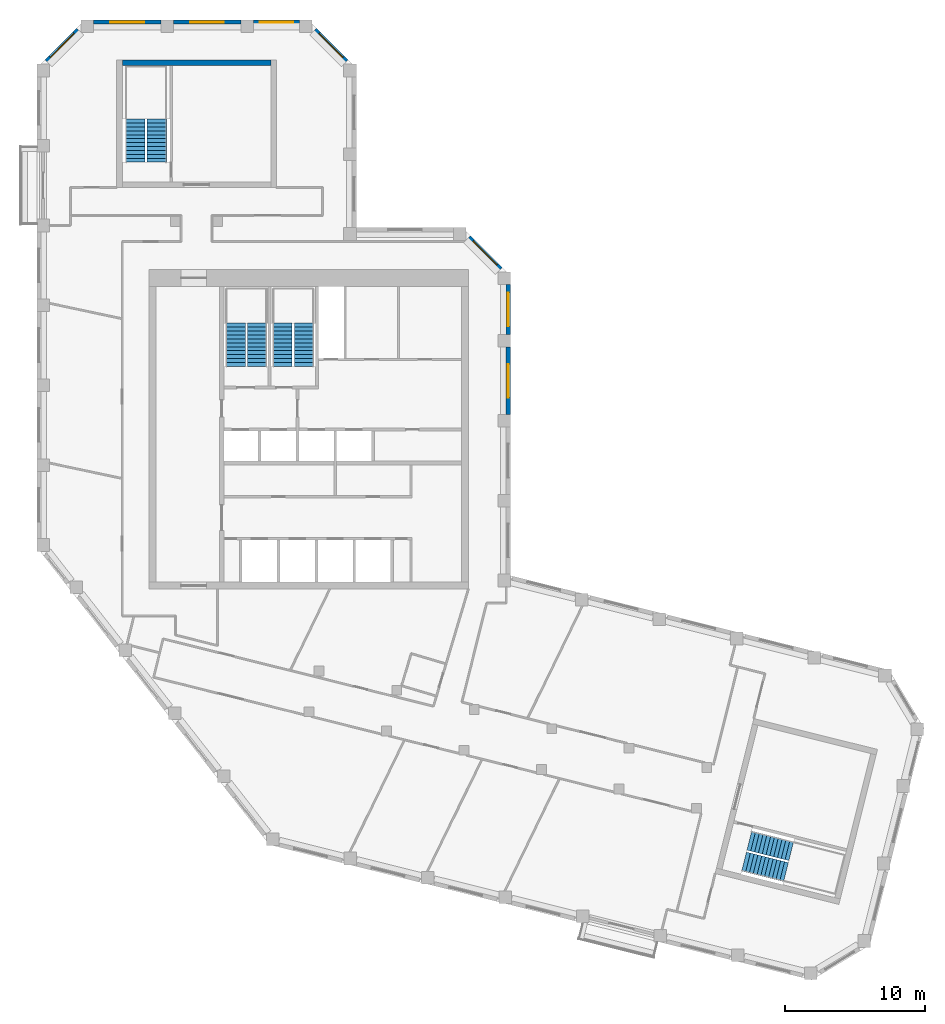
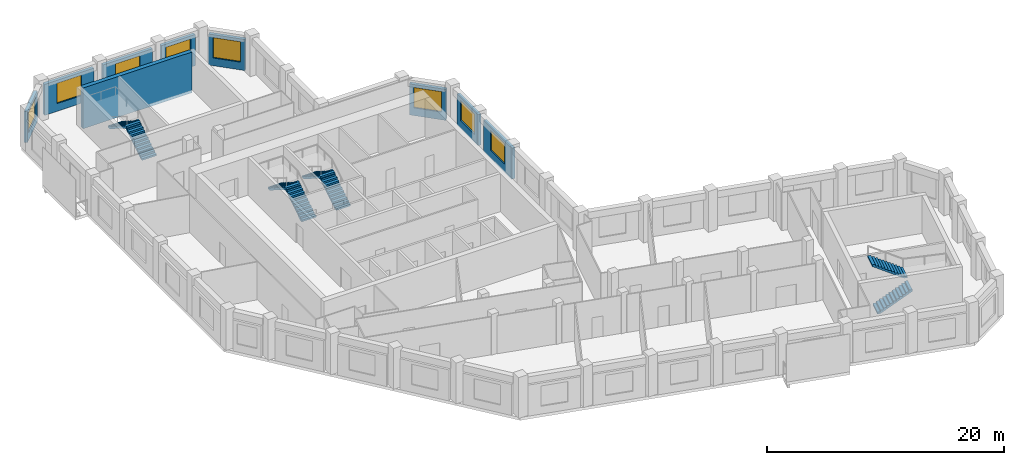
# One storey, part 7 of 8: 9 walls, 8 stair flights, 8 windows, 8 openings, 4 elements without a shape of their own.
"""IFC4 building model written with IfcOpenShell, lengths in metres."""

from ifc_helpers import new_model, si_unit, direction, frame, frame_2d, origin, place, context, subcontext, project, spatial, polyline, rectangle, outline, extrude, material, layer, layer_set, type_object, element, fill, aggregate, save


model = new_model("IFC4")

# Units and contexts
model_context = context("Model", 3, precision=1e-05, world=origin(), true_north=direction((0.0, 1.0)))
body_context = subcontext(model_context, "Body", "Model", "MODEL_VIEW")
ifc_project = project(units=[si_unit("LENGTHUNIT", "METRE"), si_unit("AREAUNIT", "SQUARE_METRE"), si_unit("VOLUMEUNIT", "CUBIC_METRE"), si_unit("PLANEANGLEUNIT", "RADIAN"), si_unit("MASSUNIT", "GRAM", prefix="KILO")], contexts=[model_context])

# Site, building, storey
site_placement = place(None, origin())
site = spatial("IfcSite", under=ifc_project, at=site_placement, CompositionType="ELEMENT")
building_placement = place(site_placement, origin())
building = spatial("IfcBuilding", under=site, at=building_placement, Name="Meshkara Civic Tower", CompositionType="ELEMENT")
storey_placement = place(building_placement, frame((0.0, 0.0, 366.60009765625)))
storey = spatial("IfcBuildingStorey", under=building, at=storey_placement, Name="L84", CompositionType="ELEMENT", Elevation=366.60009765625)

# Wall, opening, window
ifc_material_1 = material(Name="Insulated infill panel with bronze anodised aluminium cladding", Category="aluminium")
ifc_layer_1 = layer(ifc_material_1, 0.300048828125)
ifc_layer_set_1 = layer_set([ifc_layer_1], Name="EXTERNAL INFILL WALL 300")
wall_type_1 = type_object("IfcWallType", Name="EXTERNAL INFILL WALL 300", PredefinedType="SOLIDWALL", material=ifc_layer_set_1)
wall_1_placement = place(storey_placement, frame((33.64990234375, 26.569091796875, 0.0), z_axis=(0.0, 0.0, 1.0), x_axis=(0.0, 1.0, 0.0)))
wall_1 = element("IfcWall", 1, at=wall_1_placement, inside=storey, type_object=wall_type_1, Name="External wall", PredefinedType="SOLIDWALL", context=body_context, shape_type="SweptSolid", body=[
    extrude(rectangle(XDim=4.7998046875, YDim=0.300048828125, at=frame_2d((2.39990234375, 0.0))), origin(), (0.0, 0.0, 1.0), 3.199951171875),
])
opening_1_placement = place(wall_1_placement, frame((1.199951171875, 0.0, 0.800048828125)))
opening_1 = element("IfcOpeningElement", 2, at=opening_1_placement, cuts=wall_1, Name="Opening W7", PredefinedType="OPENING", context=body_context, shape_type="SweptSolid", body=[
    extrude(rectangle(XDim=2.39990234375, YDim=2.10009765625, at=frame_2d((1.199951171875, 1.050048828125))), frame((0.0, 0.159912109375, 0.0), z_axis=(0.0, -1.0, 0.0), x_axis=(1.0, 0.0, 0.0)), (0.0, 0.0, 1.0), 0.320068359375),
])
ifc_material_2 = material(Name="Tinted double glazing", Category="glass")
window_type = type_object("IfcWindowType", Name="WINDOW 2400x2100", PartitioningType="DOUBLE_PANEL_VERTICAL", PredefinedType="WINDOW", material=ifc_material_2)
window_1_placement = place(opening_1_placement, origin())
window_1 = element("IfcWindow", 3, at=window_1_placement, inside=storey, type_object=window_type, Name="Window", OverallHeight=2.10009765625, OverallWidth=2.39990234375, PartitioningType="DOUBLE_PANEL_VERTICAL", PredefinedType="WINDOW", context=body_context, shape_type="SweptSolid", body=[
    extrude(rectangle(XDim=2.39990234375, YDim=2.10009765625, at=frame_2d((1.199951171875, 1.050048828125))), frame((0.0, 0.030029296875, 0.0), z_axis=(0.0, -1.0, 0.0), x_axis=(1.0, 0.0, 0.0)), (0.0, 0.0, 1.0), 0.06005859375),
])
fill(opening_1, window_1)

wall_2_placement = place(storey_placement, frame((33.64990234375, 32.26904296875, 0.0), z_axis=(0.0, 0.0, 1.0), x_axis=(0.0, 1.0, 0.0)))
wall_2 = element("IfcWall", 4, at=wall_2_placement, inside=storey, type_object=wall_type_1, Name="External wall", PredefinedType="SOLIDWALL", context=body_context, shape_type="SweptSolid", body=[
    extrude(rectangle(XDim=3.574951171875, YDim=0.300048828125, at=frame_2d((1.78759765625, 0.0))), origin(), (0.0, 0.0, 1.0), 3.199951171875),
])
opening_2_placement = place(wall_2_placement, frame((0.587890625, 0.0, 0.800048828125)))
opening_2 = element("IfcOpeningElement", 5, at=opening_2_placement, cuts=wall_2, Name="Opening W7", PredefinedType="OPENING", context=body_context, shape_type="SweptSolid", body=[
    extrude(rectangle(XDim=2.39990234375, YDim=2.10009765625, at=frame_2d((1.199951171875, 1.050048828125))), frame((0.0, 0.159912109375, 0.0), z_axis=(0.0, -1.0, 0.0), x_axis=(1.0, 0.0, 0.0)), (0.0, 0.0, 1.0), 0.320068359375),
])
window_2_placement = place(opening_2_placement, origin())
window_2 = element("IfcWindow", 6, at=window_2_placement, inside=storey, type_object=window_type, Name="Window", OverallHeight=2.10009765625, OverallWidth=2.39990234375, PartitioningType="DOUBLE_PANEL_VERTICAL", PredefinedType="WINDOW", context=body_context, shape_type="SweptSolid", body=[
    extrude(rectangle(XDim=2.39990234375, YDim=2.10009765625, at=frame_2d((1.199951171875, 1.050048828125))), frame((0.0, 0.030029296875, 0.0), z_axis=(0.0, -1.0, 0.0), x_axis=(1.0, 0.0, 0.0)), (0.0, 0.0, 1.0), 0.06005859375),
])
fill(opening_2, window_2)

wall_3_placement = place(storey_placement, frame((33.112060546875, 36.9560546875, 0.0), z_axis=(0.0, 0.0, 1.0), x_axis=(-0.707145041435, 0.707068518868, 0.0)))
wall_3 = element("IfcWall", 7, at=wall_3_placement, inside=storey, type_object=wall_type_1, Name="External wall", PredefinedType="SOLIDWALL", context=body_context, shape_type="SweptSolid", body=[
    extrude(rectangle(XDim=3.1904296875, YDim=0.300048828125, at=frame_2d((1.59521484375, 0.0))), origin(), (0.0, 0.0, 1.0), 3.199951171875),
])
opening_3_placement = place(wall_3_placement, frame((0.39501953125, 0.0, 0.800048828125)))
opening_3 = element("IfcOpeningElement", 8, at=opening_3_placement, cuts=wall_3, Name="Opening W7", PredefinedType="OPENING", context=body_context, shape_type="SweptSolid", body=[
    extrude(rectangle(XDim=2.39990234375, YDim=2.10009765625, at=frame_2d((1.199951171875, 1.050048828125))), frame((0.0, 0.159912109375, 0.0), z_axis=(0.0, -1.0, 0.0), x_axis=(1.0, 0.0, 0.0)), (0.0, 0.0, 1.0), 0.320068359375),
])
window_3_placement = place(opening_3_placement, origin())
window_3 = element("IfcWindow", 9, at=window_3_placement, inside=storey, type_object=window_type, Name="Window", OverallHeight=2.10009765625, OverallWidth=2.39990234375, PartitioningType="DOUBLE_PANEL_VERTICAL", PredefinedType="WINDOW", context=body_context, shape_type="SweptSolid", body=[
    extrude(rectangle(XDim=2.39990234375, YDim=2.10009765625, at=frame_2d((1.199951171875, 1.050048828125))), frame((0.0, 0.030029296875, 0.0), z_axis=(0.0, -1.0, 0.0), x_axis=(1.0, 0.0, 0.0)), (0.0, 0.0, 1.0), 0.06005859375),
])
fill(opening_3, window_3)

wall_4_placement = place(storey_placement, frame((22.112060546875, 51.77587890625, 0.0), z_axis=(0.0, 0.0, 1.0), x_axis=(-0.707106781187, 0.707106781187, 0.0)))
wall_4 = element("IfcWall", 10, at=wall_4_placement, inside=storey, type_object=wall_type_1, Name="External wall", PredefinedType="SOLIDWALL", context=body_context, shape_type="SweptSolid", body=[
    extrude(rectangle(XDim=3.190673828125, YDim=0.300048828125, at=frame_2d((1.59521484375, 0.0))), origin(), (0.0, 0.0, 1.0), 3.199951171875),
])
opening_4_placement = place(wall_4_placement, frame((0.39501953125, 0.0, 0.800048828125)))
opening_4 = element("IfcOpeningElement", 11, at=opening_4_placement, cuts=wall_4, Name="Opening W7", PredefinedType="OPENING", context=body_context, shape_type="SweptSolid", body=[
    extrude(rectangle(XDim=2.39990234375, YDim=2.10009765625, at=frame_2d((1.199951171875, 1.050048828125))), frame((0.0, 0.159912109375, 0.0), z_axis=(0.0, -1.0, 0.0), x_axis=(1.0, 0.0, 0.0)), (0.0, 0.0, 1.0), 0.320068359375),
])
window_4_placement = place(opening_4_placement, origin())
window_4 = element("IfcWindow", 12, at=window_4_placement, inside=storey, type_object=window_type, Name="Window", OverallHeight=2.10009765625, OverallWidth=2.39990234375, PartitioningType="DOUBLE_PANEL_VERTICAL", PredefinedType="WINDOW", context=body_context, shape_type="SweptSolid", body=[
    extrude(rectangle(XDim=2.39990234375, YDim=2.10009765625, at=frame_2d((1.199951171875, 1.050048828125))), frame((0.0, 0.030029296875, 0.0), z_axis=(0.0, -1.0, 0.0), x_axis=(1.0, 0.0, 0.0)), (0.0, 0.0, 1.0), 0.06005859375),
])
fill(opening_4, window_4)

wall_5_placement = place(storey_placement, frame((18.743896484375, 54.570068359375, 0.0), z_axis=(0.0, 0.0, 1.0), x_axis=(-1.0, 0.0, 0.0)))
wall_5 = element("IfcWall", 13, at=wall_5_placement, inside=storey, type_object=wall_type_1, Name="External wall", PredefinedType="SOLIDWALL", context=body_context, shape_type="SweptSolid", body=[
    extrude(rectangle(XDim=3.287841796875, YDim=0.300048828125, at=frame_2d((1.64404296875, 0.0))), origin(), (0.0, 0.0, 1.0), 3.199951171875),
])
opening_5_placement = place(wall_5_placement, frame((0.444091796875, 0.0, 0.800048828125)))
opening_5 = element("IfcOpeningElement", 14, at=opening_5_placement, cuts=wall_5, Name="Opening W7", PredefinedType="OPENING", context=body_context, shape_type="SweptSolid", body=[
    extrude(rectangle(XDim=2.39990234375, YDim=2.10009765625, at=frame_2d((1.199951171875, 1.050048828125))), frame((0.0, 0.159912109375, 0.0), z_axis=(0.0, -1.0, 0.0), x_axis=(1.0, 0.0, 0.0)), (0.0, 0.0, 1.0), 0.320068359375),
])
window_5_placement = place(opening_5_placement, origin())
window_5 = element("IfcWindow", 15, at=window_5_placement, inside=storey, type_object=window_type, Name="Window", OverallHeight=2.10009765625, OverallWidth=2.39990234375, PartitioningType="DOUBLE_PANEL_VERTICAL", PredefinedType="WINDOW", context=body_context, shape_type="SweptSolid", body=[
    extrude(rectangle(XDim=2.39990234375, YDim=2.10009765625, at=frame_2d((1.199951171875, 1.050048828125))), frame((0.0, 0.030029296875, 0.0), z_axis=(0.0, -1.0, 0.0), x_axis=(1.0, 0.0, 0.0)), (0.0, 0.0, 1.0), 0.06005859375),
])
fill(opening_5, window_5)

wall_6_placement = place(storey_placement, frame((14.555908203125, 54.570068359375, 0.0), z_axis=(0.0, 0.0, 1.0), x_axis=(-1.0, 0.0, 0.0)))
wall_6 = element("IfcWall", 16, at=wall_6_placement, inside=storey, type_object=wall_type_1, Name="External wall", PredefinedType="SOLIDWALL", context=body_context, shape_type="SweptSolid", body=[
    extrude(rectangle(XDim=4.7998046875, YDim=0.300048828125, at=frame_2d((2.39990234375, 0.0))), origin(), (0.0, 0.0, 1.0), 3.199951171875),
])
opening_6_placement = place(wall_6_placement, frame((1.199951171875, 0.0, 0.800048828125)))
opening_6 = element("IfcOpeningElement", 17, at=opening_6_placement, cuts=wall_6, Name="Opening W7", PredefinedType="OPENING", context=body_context, shape_type="SweptSolid", body=[
    extrude(rectangle(XDim=2.39990234375, YDim=2.10009765625, at=frame_2d((1.199951171875, 1.050048828125))), frame((0.0, 0.159912109375, 0.0), z_axis=(0.0, -1.0, 0.0), x_axis=(1.0, 0.0, 0.0)), (0.0, 0.0, 1.0), 0.320068359375),
])
window_6_placement = place(opening_6_placement, origin())
window_6 = element("IfcWindow", 18, at=window_6_placement, inside=storey, type_object=window_type, Name="Window", OverallHeight=2.10009765625, OverallWidth=2.39990234375, PartitioningType="DOUBLE_PANEL_VERTICAL", PredefinedType="WINDOW", context=body_context, shape_type="SweptSolid", body=[
    extrude(rectangle(XDim=2.39990234375, YDim=2.10009765625, at=frame_2d((1.199951171875, 1.050048828125))), frame((0.0, 0.030029296875, 0.0), z_axis=(0.0, -1.0, 0.0), x_axis=(1.0, 0.0, 0.0)), (0.0, 0.0, 1.0), 0.06005859375),
])
fill(opening_6, window_6)

wall_7_placement = place(storey_placement, frame((8.85595703125, 54.570068359375, 0.0), z_axis=(0.0, 0.0, 1.0), x_axis=(-1.0, 0.0, 0.0)))
wall_7 = element("IfcWall", 19, at=wall_7_placement, inside=storey, type_object=wall_type_1, Name="External wall", PredefinedType="SOLIDWALL", context=body_context, shape_type="SweptSolid", body=[
    extrude(rectangle(XDim=4.800048828125, YDim=0.300048828125, at=frame_2d((2.39990234375, 0.0))), origin(), (0.0, 0.0, 1.0), 3.199951171875),
])
opening_7_placement = place(wall_7_placement, frame((1.199951171875, 0.0, 0.800048828125)))
opening_7 = element("IfcOpeningElement", 20, at=opening_7_placement, cuts=wall_7, Name="Opening W7", PredefinedType="OPENING", context=body_context, shape_type="SweptSolid", body=[
    extrude(rectangle(XDim=2.39990234375, YDim=2.10009765625, at=frame_2d((1.199951171875, 1.050048828125))), frame((0.0, 0.159912109375, 0.0), z_axis=(0.0, -1.0, 0.0), x_axis=(1.0, 0.0, 0.0)), (0.0, 0.0, 1.0), 0.320068359375),
])
window_7_placement = place(opening_7_placement, origin())
window_7 = element("IfcWindow", 21, at=window_7_placement, inside=storey, type_object=window_type, Name="Window", OverallHeight=2.10009765625, OverallWidth=2.39990234375, PartitioningType="DOUBLE_PANEL_VERTICAL", PredefinedType="WINDOW", context=body_context, shape_type="SweptSolid", body=[
    extrude(rectangle(XDim=2.39990234375, YDim=2.10009765625, at=frame_2d((1.199951171875, 1.050048828125))), frame((0.0, 0.030029296875, 0.0), z_axis=(0.0, -1.0, 0.0), x_axis=(1.0, 0.0, 0.0)), (0.0, 0.0, 1.0), 0.06005859375),
])
fill(opening_7, window_7)

wall_8_placement = place(storey_placement, frame((2.944091796875, 54.031982421875, 0.0), z_axis=(0.0, 0.0, 1.0), x_axis=(-0.707106781187, -0.707106781187, 0.0)))
wall_8 = element("IfcWall", 22, at=wall_8_placement, inside=storey, type_object=wall_type_1, Name="External wall", PredefinedType="SOLIDWALL", context=body_context, shape_type="SweptSolid", body=[
    extrude(rectangle(XDim=3.190673828125, YDim=0.300048828125, at=frame_2d((1.59521484375, 0.0))), origin(), (0.0, 0.0, 1.0), 3.199951171875),
])
opening_8_placement = place(wall_8_placement, frame((0.39501953125, 0.0, 0.800048828125)))
opening_8 = element("IfcOpeningElement", 23, at=opening_8_placement, cuts=wall_8, Name="Opening W7", PredefinedType="OPENING", context=body_context, shape_type="SweptSolid", body=[
    extrude(rectangle(XDim=2.39990234375, YDim=2.10009765625, at=frame_2d((1.199951171875, 1.050048828125))), frame((0.0, 0.159912109375, 0.0), z_axis=(0.0, -1.0, 0.0), x_axis=(1.0, 0.0, 0.0)), (0.0, 0.0, 1.0), 0.320068359375),
])
window_8_placement = place(opening_8_placement, origin())
window_8 = element("IfcWindow", 24, at=window_8_placement, inside=storey, type_object=window_type, Name="Window", OverallHeight=2.10009765625, OverallWidth=2.39990234375, PartitioningType="DOUBLE_PANEL_VERTICAL", PredefinedType="WINDOW", context=body_context, shape_type="SweptSolid", body=[
    extrude(rectangle(XDim=2.39990234375, YDim=2.10009765625, at=frame_2d((1.199951171875, 1.050048828125))), frame((0.0, 0.030029296875, 0.0), z_axis=(0.0, -1.0, 0.0), x_axis=(1.0, 0.0, 0.0)), (0.0, 0.0, 1.0), 0.06005859375),
])
fill(opening_8, window_8)

# Wall
ifc_material_3 = material(Name="Concrete C50", Category="concrete")
ifc_layer_2 = layer(ifc_material_3, 0.39990234375)
ifc_layer_set_2 = layer_set([ifc_layer_2], Name="End core ring wall 400 C50")
wall_type_2 = type_object("IfcWallType", Name="End core ring wall 400 C50", PredefinedType="SHEAR", material=ifc_layer_set_2)
wall_9_placement = place(storey_placement, frame((6.10009765625, 51.669921875, -0.300048828125), z_axis=(0.0, 0.0, 1.0), x_axis=(1.0, 0.0, 0.0)))
element("IfcWall", 25, at=wall_9_placement, inside=storey, type_object=wall_type_2, Name="L84-C030", PredefinedType="SHEAR", context=body_context, shape_type="SweptSolid", body=[
    extrude(rectangle(XDim=10.599853515625, YDim=0.39990234375, at=frame_2d((5.2998046875, 0.0))), origin(), (0.0, 0.0, 1.0), 4.199951171875),
])

# Stair, stair flights
ifc_material_4 = material(Name="Precast concrete C40/50", Category="concrete")
stair_type = type_object("IfcStairType", Name="Exit stair half-turn 24 risers precast", PredefinedType="HALF_TURN_STAIR", material=ifc_material_4)
stair_1_placement = place(storey_placement, origin())
stair_1 = element("IfcStair", 26, at=stair_1_placement, inside=storey, type_object=stair_type, Name="L84 exit stair 1", PredefinedType="HALF_TURN_STAIR")
ifc_material_5 = material(Name="Precast concrete C40/50", Category="concrete")
stair_flight_type = type_object("IfcStairFlightType", Name="Exit stair flight 12 risers precast", PredefinedType="STRAIGHT", material=ifc_material_5)
stair_flight_1_placement = place(storey_placement, frame((15.72509765625, 30.0, 0.0), z_axis=(0.0, 0.0, 1.0), x_axis=(0.0, 1.0, 0.0)))
stair_flight_1 = element("IfcStairFlight", 27, at=stair_flight_1_placement, type_object=stair_flight_type, Name="ST1 flight 1", NumberOfRisers=12, NumberOfTreads=11, PredefinedType="STRAIGHT", RiserHeight=0.175, TreadLength=0.28, context=body_context, shape_type="SweptSolid", body=[
    extrude(outline(polyline([(0.0, 0.0), (0.0, 0.175048828125), (0.280029296875, 0.175048828125), (0.280029296875, 0.35009765625), (0.56005859375, 0.35009765625), (0.56005859375, 0.52490234375), (0.840087890625, 0.52490234375), (0.840087890625, 0.699951171875), (1.1201171875, 0.699951171875), (1.1201171875, 0.875), (1.39990234375, 0.875), (1.39990234375, 1.050048828125), (1.679931640625, 1.050048828125), (1.679931640625, 1.22509765625), (1.9599609375, 1.22509765625), (1.9599609375, 1.39990234375), (2.239990234375, 1.39990234375), (2.239990234375, 1.574951171875), (2.52001953125, 1.574951171875), (2.52001953125, 1.75), (2.800048828125, 1.75), (2.800048828125, 1.925048828125), (3.080078125, 1.925048828125), (3.080078125, 2.10009765625), (3.080078125, 1.748291015625), (0.28271484375, 0.0), (0.0, 0.0)])), frame((0.0, 0.699951171875, 0.0), z_axis=(0.0, -1.0, 0.0), x_axis=(1.0, 0.0, 0.0)), (0.0, 0.0, 1.0), 1.39990234375),
])
stair_flight_2_placement = place(storey_placement, frame((14.175048828125, 33.080078125, 2.099853515625), z_axis=(0.0, 0.0, 1.0), x_axis=(0.0, -1.0, 0.0)))
stair_flight_2 = element("IfcStairFlight", 28, at=stair_flight_2_placement, type_object=stair_flight_type, Name="ST1 flight 2", NumberOfRisers=12, NumberOfTreads=11, PredefinedType="STRAIGHT", RiserHeight=0.175, TreadLength=0.28, context=body_context, shape_type="SweptSolid", body=[
    extrude(outline(polyline([(0.0, 0.0), (0.0, 0.175048828125), (0.280029296875, 0.175048828125), (0.280029296875, 0.35009765625), (0.56005859375, 0.35009765625), (0.56005859375, 0.52490234375), (0.840087890625, 0.52490234375), (0.840087890625, 0.699951171875), (1.1201171875, 0.699951171875), (1.1201171875, 0.875), (1.39990234375, 0.875), (1.39990234375, 1.050048828125), (1.679931640625, 1.050048828125), (1.679931640625, 1.22509765625), (1.9599609375, 1.22509765625), (1.9599609375, 1.39990234375), (2.239990234375, 1.39990234375), (2.239990234375, 1.574951171875), (2.52001953125, 1.574951171875), (2.52001953125, 1.75), (2.800048828125, 1.75), (2.800048828125, 1.925048828125), (3.080078125, 1.925048828125), (3.080078125, 2.10009765625), (3.080078125, 1.748291015625), (0.28271484375, 0.0), (0.0, 0.0)])), frame((0.0, 0.699951171875, 0.0), z_axis=(0.0, -1.0, 0.0), x_axis=(1.0, 0.0, 0.0)), (0.0, 0.0, 1.0), 1.39990234375),
])
aggregate(stair_1, [stair_flight_1, stair_flight_2])

stair_2_placement = place(storey_placement, origin())
stair_2 = element("IfcStair", 29, at=stair_2_placement, inside=storey, type_object=stair_type, Name="L84 exit stair 2", PredefinedType="HALF_TURN_STAIR")
stair_flight_3_placement = place(storey_placement, frame((19.074951171875, 30.0, 0.0), z_axis=(0.0, 0.0, 1.0), x_axis=(0.0, 1.0, 0.0)))
stair_flight_3 = element("IfcStairFlight", 30, at=stair_flight_3_placement, type_object=stair_flight_type, Name="ST2 flight 1", NumberOfRisers=12, NumberOfTreads=11, PredefinedType="STRAIGHT", RiserHeight=0.175, TreadLength=0.28, context=body_context, shape_type="SweptSolid", body=[
    extrude(outline(polyline([(0.0, 0.0), (0.0, 0.175048828125), (0.280029296875, 0.175048828125), (0.280029296875, 0.35009765625), (0.56005859375, 0.35009765625), (0.56005859375, 0.52490234375), (0.840087890625, 0.52490234375), (0.840087890625, 0.699951171875), (1.1201171875, 0.699951171875), (1.1201171875, 0.875), (1.39990234375, 0.875), (1.39990234375, 1.050048828125), (1.679931640625, 1.050048828125), (1.679931640625, 1.22509765625), (1.9599609375, 1.22509765625), (1.9599609375, 1.39990234375), (2.239990234375, 1.39990234375), (2.239990234375, 1.574951171875), (2.52001953125, 1.574951171875), (2.52001953125, 1.75), (2.800048828125, 1.75), (2.800048828125, 1.925048828125), (3.080078125, 1.925048828125), (3.080078125, 2.10009765625), (3.080078125, 1.748291015625), (0.28271484375, 0.0), (0.0, 0.0)])), frame((0.0, 0.699951171875, 0.0), z_axis=(0.0, -1.0, 0.0), x_axis=(1.0, 0.0, 0.0)), (0.0, 0.0, 1.0), 1.39990234375),
])
stair_flight_4_placement = place(storey_placement, frame((17.52490234375, 33.080078125, 2.099853515625), z_axis=(0.0, 0.0, 1.0), x_axis=(0.0, -1.0, 0.0)))
stair_flight_4 = element("IfcStairFlight", 31, at=stair_flight_4_placement, type_object=stair_flight_type, Name="ST2 flight 2", NumberOfRisers=12, NumberOfTreads=11, PredefinedType="STRAIGHT", RiserHeight=0.175, TreadLength=0.28, context=body_context, shape_type="SweptSolid", body=[
    extrude(outline(polyline([(0.0, 0.0), (0.0, 0.175048828125), (0.280029296875, 0.175048828125), (0.280029296875, 0.35009765625), (0.56005859375, 0.35009765625), (0.56005859375, 0.52490234375), (0.840087890625, 0.52490234375), (0.840087890625, 0.699951171875), (1.1201171875, 0.699951171875), (1.1201171875, 0.875), (1.39990234375, 0.875), (1.39990234375, 1.050048828125), (1.679931640625, 1.050048828125), (1.679931640625, 1.22509765625), (1.9599609375, 1.22509765625), (1.9599609375, 1.39990234375), (2.239990234375, 1.39990234375), (2.239990234375, 1.574951171875), (2.52001953125, 1.574951171875), (2.52001953125, 1.75), (2.800048828125, 1.75), (2.800048828125, 1.925048828125), (3.080078125, 1.925048828125), (3.080078125, 2.10009765625), (3.080078125, 1.748291015625), (0.28271484375, 0.0), (0.0, 0.0)])), frame((0.0, 0.699951171875, 0.0), z_axis=(0.0, -1.0, 0.0), x_axis=(1.0, 0.0, 0.0)), (0.0, 0.0, 1.0), 1.39990234375),
])
aggregate(stair_2, [stair_flight_3, stair_flight_4])

stair_3_placement = place(storey_placement, origin())
stair_3 = element("IfcStair", 32, at=stair_3_placement, inside=storey, type_object=stair_type, Name="L84 exit stair A from L80", PredefinedType="HALF_TURN_STAIR")
stair_flight_5_placement = place(storey_placement, frame((8.574951171875, 44.570068359375, 0.0), z_axis=(0.0, 0.0, 1.0), x_axis=(0.0, 1.0, 0.0)))
stair_flight_5 = element("IfcStairFlight", 33, at=stair_flight_5_placement, type_object=stair_flight_type, Name="ESA6 flight 1", NumberOfRisers=12, NumberOfTreads=11, PredefinedType="STRAIGHT", RiserHeight=0.175, TreadLength=0.28, context=body_context, shape_type="SweptSolid", body=[
    extrude(outline(polyline([(0.0, 0.0), (0.0, 0.175048828125), (0.280029296875, 0.175048828125), (0.280029296875, 0.35009765625), (0.56005859375, 0.35009765625), (0.56005859375, 0.52490234375), (0.840087890625, 0.52490234375), (0.840087890625, 0.699951171875), (1.1201171875, 0.699951171875), (1.1201171875, 0.875), (1.39990234375, 0.875), (1.39990234375, 1.050048828125), (1.679931640625, 1.050048828125), (1.679931640625, 1.22509765625), (1.9599609375, 1.22509765625), (1.9599609375, 1.39990234375), (2.239990234375, 1.39990234375), (2.239990234375, 1.574951171875), (2.52001953125, 1.574951171875), (2.52001953125, 1.75), (2.800048828125, 1.75), (2.800048828125, 1.925048828125), (3.080078125, 1.925048828125), (3.080078125, 2.10009765625), (3.080078125, 1.748291015625), (0.28271484375, 0.0), (0.0, 0.0)])), frame((0.0, 0.699951171875, 0.0), z_axis=(0.0, -1.0, 0.0), x_axis=(1.0, 0.0, 0.0)), (0.0, 0.0, 1.0), 1.39990234375),
])
stair_flight_6_placement = place(storey_placement, frame((7.02490234375, 47.64990234375, 2.099853515625), z_axis=(0.0, 0.0, 1.0), x_axis=(0.0, -1.0, 0.0)))
stair_flight_6 = element("IfcStairFlight", 34, at=stair_flight_6_placement, type_object=stair_flight_type, Name="ESA6 flight 2", NumberOfRisers=12, NumberOfTreads=11, PredefinedType="STRAIGHT", RiserHeight=0.175, TreadLength=0.28, context=body_context, shape_type="SweptSolid", body=[
    extrude(outline(polyline([(0.0, 0.0), (0.0, 0.175048828125), (0.280029296875, 0.175048828125), (0.280029296875, 0.35009765625), (0.56005859375, 0.35009765625), (0.56005859375, 0.52490234375), (0.840087890625, 0.52490234375), (0.840087890625, 0.699951171875), (1.1201171875, 0.699951171875), (1.1201171875, 0.875), (1.39990234375, 0.875), (1.39990234375, 1.050048828125), (1.679931640625, 1.050048828125), (1.679931640625, 1.22509765625), (1.9599609375, 1.22509765625), (1.9599609375, 1.39990234375), (2.239990234375, 1.39990234375), (2.239990234375, 1.574951171875), (2.52001953125, 1.574951171875), (2.52001953125, 1.75), (2.800048828125, 1.75), (2.800048828125, 1.925048828125), (3.080078125, 1.925048828125), (3.080078125, 2.10009765625), (3.080078125, 1.748291015625), (0.28271484375, 0.0), (0.0, 0.0)])), frame((0.0, 0.699951171875, 0.0), z_axis=(0.0, -1.0, 0.0), x_axis=(1.0, 0.0, 0.0)), (0.0, 0.0, 1.0), 1.39990234375),
])
aggregate(stair_3, [stair_flight_5, stair_flight_6])

stair_4_placement = place(storey_placement, origin())
stair_4 = element("IfcStair", 35, at=stair_4_placement, inside=storey, type_object=stair_type, Name="L84 exit stair B from L80", PredefinedType="HALF_TURN_STAIR")
stair_flight_7_placement = place(storey_placement, frame((50.47607421875, -5.344482421875, 0.0), z_axis=(0.0, 0.0, 1.0), x_axis=(0.9703185901, -0.241830175344, 0.0)))
stair_flight_7 = element("IfcStairFlight", 36, at=stair_flight_7_placement, type_object=stair_flight_type, Name="ESB6 flight 1", NumberOfRisers=12, NumberOfTreads=11, PredefinedType="STRAIGHT", RiserHeight=0.175, TreadLength=0.28, context=body_context, shape_type="SweptSolid", body=[
    extrude(outline(polyline([(0.0, 0.0), (0.0, 0.175048828125), (0.280029296875, 0.175048828125), (0.280029296875, 0.35009765625), (0.56005859375, 0.35009765625), (0.56005859375, 0.52490234375), (0.840087890625, 0.52490234375), (0.840087890625, 0.699951171875), (1.1201171875, 0.699951171875), (1.1201171875, 0.875), (1.39990234375, 0.875), (1.39990234375, 1.050048828125), (1.679931640625, 1.050048828125), (1.679931640625, 1.22509765625), (1.9599609375, 1.22509765625), (1.9599609375, 1.39990234375), (2.239990234375, 1.39990234375), (2.239990234375, 1.574951171875), (2.52001953125, 1.574951171875), (2.52001953125, 1.75), (2.800048828125, 1.75), (2.800048828125, 1.925048828125), (3.080078125, 1.925048828125), (3.080078125, 2.10009765625), (3.080078125, 1.748291015625), (0.28271484375, 0.0), (0.0, 0.0)])), frame((0.0, 0.699951171875, 0.0), z_axis=(0.0, -1.0, 0.0), x_axis=(1.0, 0.0, 0.0)), (0.0, 0.0, 1.0), 1.39990234375),
])
stair_flight_8_placement = place(storey_placement, frame((53.83935546875, -4.58544921875, 2.099853515625), z_axis=(0.0, 0.0, 1.0), x_axis=(-0.9703185901, 0.241830175344, 0.0)))
stair_flight_8 = element("IfcStairFlight", 37, at=stair_flight_8_placement, type_object=stair_flight_type, Name="ESB6 flight 2", NumberOfRisers=12, NumberOfTreads=11, PredefinedType="STRAIGHT", RiserHeight=0.175, TreadLength=0.28, context=body_context, shape_type="SweptSolid", body=[
    extrude(outline(polyline([(0.0, 0.0), (0.0, 0.175048828125), (0.280029296875, 0.175048828125), (0.280029296875, 0.35009765625), (0.56005859375, 0.35009765625), (0.56005859375, 0.52490234375), (0.840087890625, 0.52490234375), (0.840087890625, 0.699951171875), (1.1201171875, 0.699951171875), (1.1201171875, 0.875), (1.39990234375, 0.875), (1.39990234375, 1.050048828125), (1.679931640625, 1.050048828125), (1.679931640625, 1.22509765625), (1.9599609375, 1.22509765625), (1.9599609375, 1.39990234375), (2.239990234375, 1.39990234375), (2.239990234375, 1.574951171875), (2.52001953125, 1.574951171875), (2.52001953125, 1.75), (2.800048828125, 1.75), (2.800048828125, 1.925048828125), (3.080078125, 1.925048828125), (3.080078125, 2.10009765625), (3.080078125, 1.748291015625), (0.28271484375, 0.0), (0.0, 0.0)])), frame((0.0, 0.699951171875, 0.0), z_axis=(0.0, -1.0, 0.0), x_axis=(1.0, 0.0, 0.0)), (0.0, 0.0, 1.0), 1.39990234375),
])
aggregate(stair_4, [stair_flight_7, stair_flight_8])

save(model, "model.ifc")
